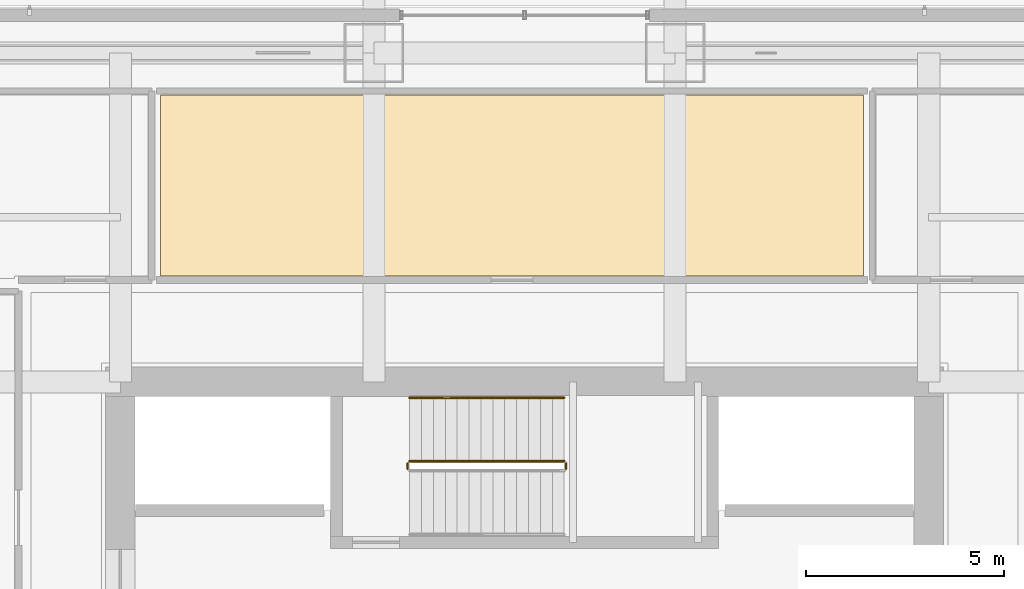
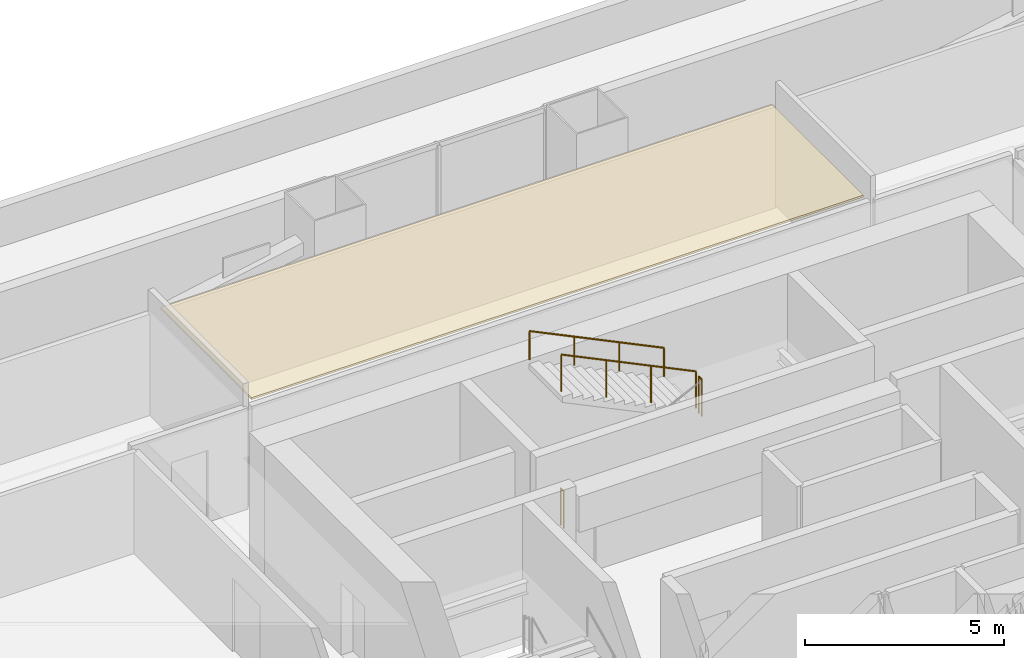
# One storey, part 28 of 30: 4 railings, 1 covering.
"""IFC4 building model written with IfcOpenShell, lengths in metres."""

from ifc_helpers import new_model, si_unit, direction, frame, origin, origin_2d, place, context, subcontext, project, spatial, polyline, circle, outline, extrude, material, layer, layer_set, type_object, element, save


model = new_model("IFC4")

# Units and contexts
model_context = context("Model", 3, precision=1e-05, world=origin(), true_north=direction((0.0, 1.0)))
body_context = subcontext(model_context, "Body", "Model", "MODEL_VIEW")
ifc_project = project(units=[si_unit("LENGTHUNIT", "METRE"), si_unit("AREAUNIT", "SQUARE_METRE"), si_unit("VOLUMEUNIT", "CUBIC_METRE"), si_unit("PLANEANGLEUNIT", "RADIAN"), si_unit("MASSUNIT", "GRAM", prefix="KILO")], contexts=[model_context])

# Site, building, storey
site_placement = place(None, origin())
site = spatial("IfcSite", under=ifc_project, at=site_placement, CompositionType="ELEMENT")
building_placement = place(site_placement, origin())
building = spatial("IfcBuilding", under=site, at=building_placement, Name="Punatoya Terracotta Tower", CompositionType="ELEMENT")
storey_placement = place(building_placement, frame((0.0, 0.0, 28.199951171875)))
storey = spatial("IfcBuildingStorey", under=building, at=storey_placement, Name="L05", CompositionType="ELEMENT", Elevation=28.199951171875)

# Covering
ifc_material_1 = material(Name="Acoustic Mineral Fibre Ceiling")
ifc_layer = layer(ifc_material_1, 0.06005859375)
ifc_layer_set = layer_set([ifc_layer], Name="Acoustic Mineral Fibre Ceiling")
covering_type = type_object("IfcCoveringType", Name="COV-CEIL-60", PredefinedType="CEILING", material=ifc_layer_set)
covering_placement = place(storey_placement, frame((0.0, 0.0, 3.16015625)))
element("IfcCovering", 1, at=covering_placement, inside=storey, type_object=covering_type, Name="L05 Systems Engineering Office Acoustic Ceiling", PredefinedType="CEILING", context=body_context, shape_type="SweptSolid", body=[
    extrude(outline(polyline([(8.552001953125, 16.43994140625), (-9.18505859375, 16.43994140625), (-9.18505859375, 11.8701171875), (8.552001953125, 11.8701171875), (8.552001953125, 16.43994140625)])), origin(), (0.0, 0.0, 1.0), 0.059814453125),
])

# Railings
ifc_material_2 = material(Name="Steel S355", Category="steel")
railing_type_1 = type_object("IfcRailingType", Name="RLG-GRD-1150", PredefinedType="GUARDRAIL", material=ifc_material_2)
railing_1_placement = place(storey_placement, frame((1.050048828125, 7.0, 2.025146484375)))
element("IfcRailing", 2, at=railing_1_placement, inside=storey, type_object=railing_type_1, Name="L05 ST-3 stair guard 2", PredefinedType="GUARDRAIL", context=body_context, shape_type="SweptSolid", body=[
    extrude(circle(Radius=0.02392578125, at=origin_2d()), frame((0.0, 0.0, 1.1259765625), z_axis=(0.0, 1.0, 0.0), x_axis=(-1.0, 0.0, 0.0)), (0.0, 0.0, 1.0), 0.14990234375),
    extrude(circle(Radius=0.02099609375, at=origin_2d()), origin(), (0.0, 0.0, 1.0), 1.101806640625),
    extrude(circle(Radius=0.02099609375, at=origin_2d()), frame((0.0, 0.14990234375, 0.0)), (0.0, 0.0, 1.0), 1.101806640625),
])
railing_2_placement = place(storey_placement, frame((1.0, 7.199951171875, 2.169677734375)))
element("IfcRailing", 3, at=railing_2_placement, inside=storey, type_object=railing_type_1, Name="L05 ST-3 stair guard 3", PredefinedType="GUARDRAIL", context=body_context, shape_type="SweptSolid", body=[
    extrude(circle(Radius=0.02392578125, at=origin_2d()), frame((0.0, 0.0, 1.1259765625), z_axis=(-0.900763166376, 0.0, 0.434310623978), x_axis=(0.0, -1.0, 0.0)), (0.0, 0.0, 1.0), 4.32958984375),
    extrude(circle(Radius=0.02099609375, at=origin_2d()), origin(), (0.0, 0.0, 1.0), 1.101806640625),
    extrude(circle(Radius=0.02099609375, at=origin_2d()), frame((-1.300048828125, 0.0, 0.626708984375)), (0.0, 0.0, 1.0), 1.101806640625),
    extrude(circle(Radius=0.02099609375, at=origin_2d()), frame((-2.599853515625, 0.0, 1.253662109375)), (0.0, 0.0, 1.0), 1.101806640625),
    extrude(circle(Radius=0.02099609375, at=origin_2d()), frame((-3.89990234375, 0.0, 1.88037109375)), (0.0, 0.0, 1.0), 1.101806640625),
])
railing_3_placement = place(storey_placement, frame((-2.949951171875, 7.0, 0.0)))
element("IfcRailing", 4, at=railing_3_placement, inside=storey, type_object=railing_type_1, Name="L05 ST-3 stair guard 4", PredefinedType="GUARDRAIL", context=body_context, shape_type="SweptSolid", body=[
    extrude(circle(Radius=0.02392578125, at=origin_2d()), frame((0.0, 0.0, 1.1259765625), z_axis=(0.0, 1.0, 0.0), x_axis=(-1.0, 0.0, 0.0)), (0.0, 0.0, 1.0), 0.14990234375),
    extrude(circle(Radius=0.02099609375, at=origin_2d()), origin(), (0.0, 0.0, 1.0), 1.101806640625),
    extrude(circle(Radius=0.02099609375, at=origin_2d()), frame((0.0, 0.14990234375, 0.0)), (0.0, 0.0, 1.0), 1.101806640625),
])
railing_type_2 = type_object("IfcRailingType", Name="RLG-HND-900", PredefinedType="HANDRAIL", material=ifc_material_2)
railing_4_placement = place(storey_placement, frame((1.0, 8.800048828125, 2.169677734375)))
element("IfcRailing", 5, at=railing_4_placement, inside=storey, type_object=railing_type_2, Name="L05 ST-3 stair handrail 2", PredefinedType="HANDRAIL", context=body_context, shape_type="SweptSolid", body=[
    extrude(circle(Radius=0.02392578125, at=origin_2d()), frame((0.0, 0.0, 0.8759765625), z_axis=(-0.900763166376, 0.0, 0.434310623978), x_axis=(0.0, -1.0, 0.0)), (0.0, 0.0, 1.0), 4.32958984375),
    extrude(circle(Radius=0.02099609375, at=origin_2d()), origin(), (0.0, 0.0, 1.0), 0.851806640625),
    extrude(circle(Radius=0.02099609375, at=origin_2d()), frame((-1.300048828125, 0.0, 0.626708984375)), (0.0, 0.0, 1.0), 0.851806640625),
    extrude(circle(Radius=0.02099609375, at=origin_2d()), frame((-2.599853515625, 0.0, 1.253662109375)), (0.0, 0.0, 1.0), 0.851806640625),
    extrude(circle(Radius=0.02099609375, at=origin_2d()), frame((-3.89990234375, 0.0, 1.88037109375)), (0.0, 0.0, 1.0), 0.851806640625),
])

save(model, "model.ifc")
